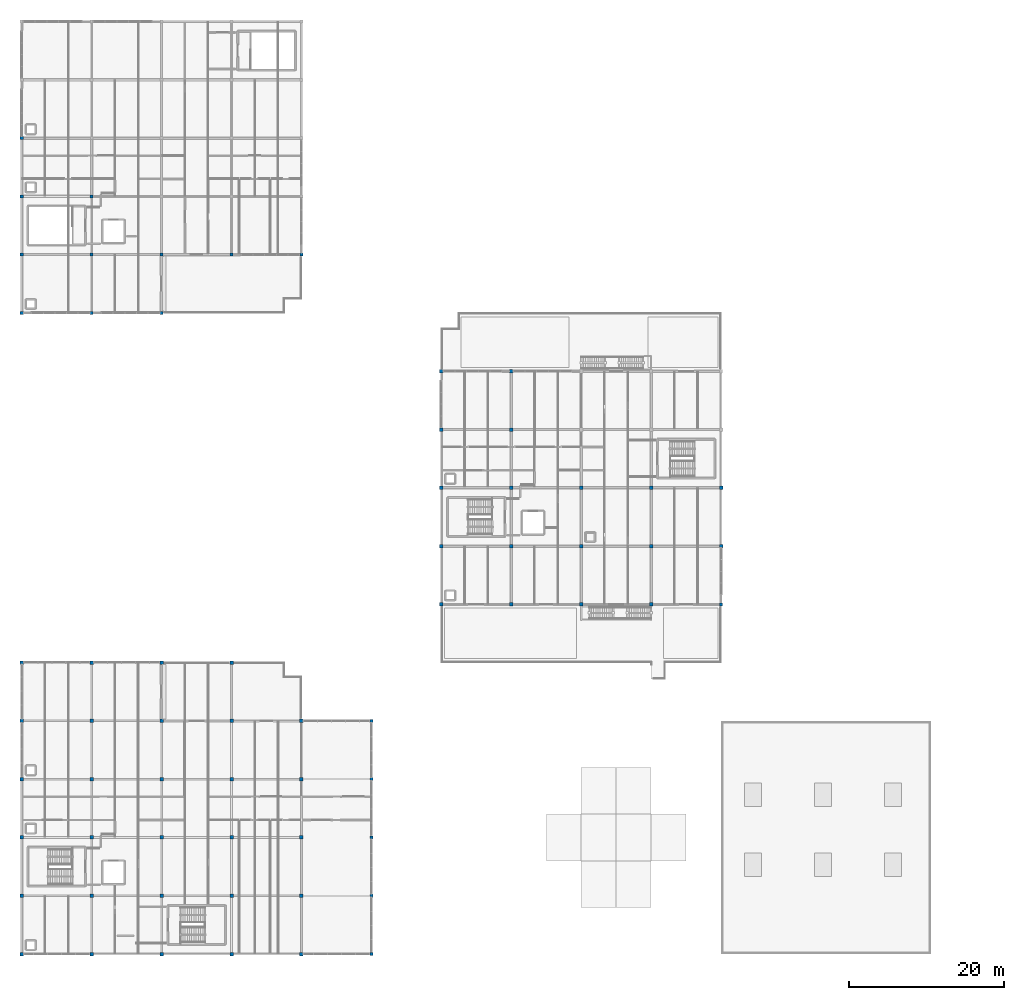
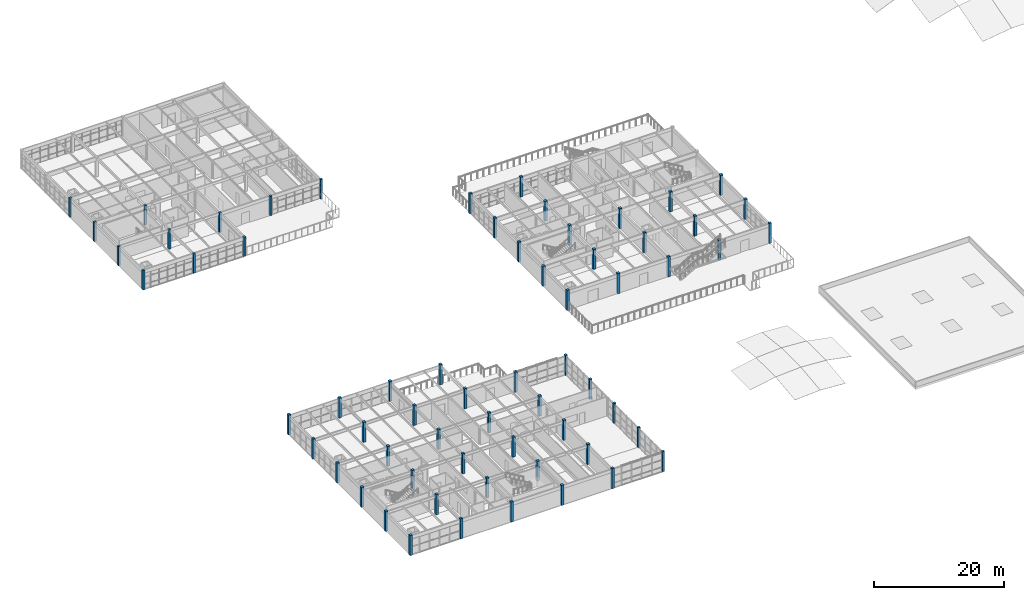
# One storey, part 1 of 45: 64 columns.
"""IFC4 building model written with IfcOpenShell, lengths in metres."""

from ifc_helpers import new_model, si_unit, direction, frame, origin, origin_2d, place, context, subcontext, project, spatial, rectangle, extrude, material, material_profile, profile_set, type_object, element, save


model = new_model("IFC4")

# Units and contexts
model_context = context("Model", 3, precision=1e-05, world=origin(), true_north=direction((0.0, 1.0)))
body_context = subcontext(model_context, "Body", "Model", "MODEL_VIEW")
ifc_project = project(units=[si_unit("LENGTHUNIT", "METRE"), si_unit("AREAUNIT", "SQUARE_METRE"), si_unit("VOLUMEUNIT", "CUBIC_METRE"), si_unit("PLANEANGLEUNIT", "RADIAN"), si_unit("MASSUNIT", "GRAM", prefix="KILO")], contexts=[model_context])

# Site, building, storey
site_placement = place(None, origin())
site = spatial("IfcSite", under=ifc_project, at=site_placement, CompositionType="ELEMENT")
building_placement = place(site_placement, origin())
building = spatial("IfcBuilding", under=site, at=building_placement, Name="Marnridge Secondary College", CompositionType="ELEMENT")
storey_placement = place(building_placement, frame((0.0, 0.0, 12.300048828125)))
storey = spatial("IfcBuildingStorey", under=building, at=storey_placement, Name="L03", CompositionType="ELEMENT", Elevation=12.300048828125)

# Columns
ifc_material_1 = material(Name="Glulam timber GL21", Category="wood")
ifc_material_profile_1 = material_profile(ifc_material_1, rectangle(XDim=0.39990234375, YDim=0.39990234375, at=origin_2d()), Name="GL21 400x400")
ifc_profile_set_1 = profile_set([ifc_material_profile_1], Name="Glulam timber GL21")
column_type_1 = type_object("IfcColumnType", Name="CL-GL400-EXT", PredefinedType="COLUMN", material=ifc_profile_set_1)
for number, where, z_axis, x_axis, name in (
    (1, (45.0, 0.0, 0.0), (0.0, 0.0, 1.0), (1.0, 0.0, 0.0), "Column C-L03-0029"),
    (2, (45.0, 7.5, 0.0), (0.0, 0.0, 1.0), (1.0, 0.0, 0.0), "Column C-L03-0081"),
    (3, (45.0, 15.0, 0.0), (0.0, 0.0, 1.0), (1.0, 0.0, 0.0), "Column C-L03-0126"),
    (4, (45.0, 22.5, 0.0), (0.0, 0.0, 1.0), (1.0, 0.0, 0.0), "Column C-L03-0171"),
    (5, (45.0, 30.0, 0.0), (0.0, 0.0, 1.0), (1.0, 0.0, 0.0), "Column C-L03-0216"),
    (6, (90.0, 45.0, 0.0), (0.0, 0.0, 1.0), (1.0, 0.0, 0.0), "Column C-L03-0313"),
):
    element("IfcColumn", number, at=place(storey_placement, frame(where, z_axis=z_axis, x_axis=x_axis)), inside=storey, type_object=column_type_1, Name=name, PredefinedType="COLUMN", context=body_context, shape_type="SweptSolid", body=[
        extrude(rectangle(XDim=0.39990234375, YDim=0.39990234375, at=origin_2d()), origin(), (0.0, 0.0, 1.0), 3.800048828125),
    ])
for number, where, z_axis, x_axis, name in (
    (7, (0.0, 82.5, 0.0), (0.0, 0.0, 1.0), (1.0, 0.0, 0.0), "Column C-L03-0467"),
    (8, (9.0, 82.5, 0.0), (0.0, 0.0, 1.0), (1.0, 0.0, 0.0), "Column C-L03-0471"),
    (9, (18.0, 82.5, 0.0), (0.0, 0.0, 1.0), (1.0, 0.0, 0.0), "Column C-L03-0475"),
    (10, (0.0, 90.0, 0.0), (0.0, 0.0, 1.0), (1.0, 0.0, 0.0), "Column C-L03-0506"),
    (11, (18.0, 90.0, 0.0), (0.0, 0.0, 1.0), (1.0, 0.0, 0.0), "Column C-L03-0514"),
    (12, (27.0, 90.0, 0.0), (0.0, 0.0, 1.0), (1.0, 0.0, 0.0), "Column C-L03-0518"),
    (13, (36.0, 90.0, 0.0), (0.0, 0.0, 1.0), (1.0, 0.0, 0.0), "Column C-L03-0522"),
    (14, (0.0, 97.5, 0.0), (0.0, 0.0, 1.0), (1.0, 0.0, 0.0), "Column C-L03-0532"),
    (15, (0.0, 105.0, 0.0), (0.0, 0.0, 1.0), (1.0, 0.0, 0.0), "Column C-L03-0558"),
):
    element("IfcColumn", number, at=place(storey_placement, frame(where, z_axis=z_axis, x_axis=x_axis)), inside=storey, type_object=column_type_1, Name=name, PredefinedType="COLUMN", context=body_context, shape_type="SweptSolid", body=[
        extrude(rectangle(XDim=0.39990234375, YDim=0.39990234375, at=origin_2d()), origin(), (0.0, 0.0, 1.0), 3.64990234375),
    ])
ifc_material_2 = material(Name="Glulam timber GL21", Category="wood")
ifc_material_profile_2 = material_profile(ifc_material_2, rectangle(XDim=0.39990234375, YDim=0.39990234375, at=origin_2d()), Name="GL21 400x400")
ifc_profile_set_2 = profile_set([ifc_material_profile_2], Name="Glulam timber GL21")
column_type_2 = type_object("IfcColumnType", Name="CL-GL400-INT", PredefinedType="COLUMN", material=ifc_profile_set_2)
for number, where, z_axis, x_axis, name in (
    (16, (9.0, 90.0, 0.0), (0.0, 0.0, 1.0), (1.0, 0.0, 0.0), "Column C-L03-0510"),
    (17, (9.0, 97.5, 0.0), (0.0, 0.0, 1.0), (1.0, 0.0, 0.0), "Column C-L03-0536"),
):
    element("IfcColumn", number, at=place(storey_placement, frame(where, z_axis=z_axis, x_axis=x_axis)), inside=storey, type_object=column_type_2, Name=name, PredefinedType="COLUMN", context=body_context, shape_type="SweptSolid", body=[
        extrude(rectangle(XDim=0.39990234375, YDim=0.39990234375, at=origin_2d()), origin(), (0.0, 0.0, 1.0), 3.64990234375),
    ])
ifc_material_3 = material(Name="Glulam timber GL21", Category="wood")
ifc_material_profile_3 = material_profile(ifc_material_3, rectangle(XDim=0.449951171875, YDim=0.449951171875, at=origin_2d()), Name="GL21 450x450")
ifc_profile_set_3 = profile_set([ifc_material_profile_3], Name="Glulam timber GL21")
column_type_3 = type_object("IfcColumnType", Name="CL-GL450-EXT", PredefinedType="COLUMN", material=ifc_profile_set_3)
for number, where, z_axis, x_axis, name in (
    (18, (0.0, 0.0, 0.0), (0.0, 0.0, 1.0), (1.0, 0.0, 0.0), "Column C-L03-0004"),
    (19, (9.0, 0.0, 0.0), (0.0, 0.0, 1.0), (1.0, 0.0, 0.0), "Column C-L03-0009"),
    (20, (18.0, 0.0, 0.0), (0.0, 0.0, 1.0), (1.0, 0.0, 0.0), "Column C-L03-0014"),
    (21, (27.0, 0.0, 0.0), (0.0, 0.0, 1.0), (1.0, 0.0, 0.0), "Column C-L03-0019"),
    (22, (36.0, 0.0, 0.0), (0.0, 0.0, 1.0), (1.0, 0.0, 0.0), "Column C-L03-0024"),
    (23, (0.0, 7.5, 0.0), (0.0, 0.0, 1.0), (1.0, 0.0, 0.0), "Column C-L03-0056"),
    (24, (0.0, 15.0, 0.0), (0.0, 0.0, 1.0), (1.0, 0.0, 0.0), "Column C-L03-0101"),
    (25, (0.0, 22.5, 0.0), (0.0, 0.0, 1.0), (1.0, 0.0, 0.0), "Column C-L03-0146"),
    (26, (0.0, 30.0, 0.0), (0.0, 0.0, 1.0), (1.0, 0.0, 0.0), "Column C-L03-0191"),
    (27, (18.0, 30.0, 0.0), (0.0, 0.0, 1.0), (1.0, 0.0, 0.0), "Column C-L03-0201"),
    (28, (27.0, 30.0, 0.0), (0.0, 0.0, 1.0), (1.0, 0.0, 0.0), "Column C-L03-0206"),
    (29, (36.0, 30.0, 0.0), (0.0, 0.0, 1.0), (1.0, 0.0, 0.0), "Column C-L03-0211"),
    (30, (0.0, 37.5, 0.0), (0.0, 0.0, 1.0), (1.0, 0.0, 0.0), "Column C-L03-0243"),
    (31, (9.0, 37.5, 0.0), (0.0, 0.0, 1.0), (1.0, 0.0, 0.0), "Column C-L03-0248"),
    (32, (18.0, 37.5, 0.0), (0.0, 0.0, 1.0), (1.0, 0.0, 0.0), "Column C-L03-0253"),
    (33, (54.0, 45.0, 0.0), (0.0, 0.0, 1.0), (1.0, 0.0, 0.0), "Column C-L03-0293"),
    (34, (63.0, 45.0, 0.0), (0.0, 0.0, 1.0), (1.0, 0.0, 0.0), "Column C-L03-0298"),
    (35, (72.0, 45.0, 0.0), (0.0, 0.0, 1.0), (1.0, 0.0, 0.0), "Column C-L03-0303"),
    (36, (81.0, 45.0, 0.0), (0.0, 0.0, 1.0), (1.0, 0.0, 0.0), "Column C-L03-0308"),
    (37, (54.0, 52.5, 0.0), (0.0, 0.0, 1.0), (1.0, 0.0, 0.0), "Column C-L03-0319"),
    (38, (72.0, 52.5, 0.0), (0.0, 0.0, 1.0), (1.0, 0.0, 0.0), "Column C-L03-0333"),
    (39, (81.0, 52.5, 0.0), (0.0, 0.0, 1.0), (1.0, 0.0, 0.0), "Column C-L03-0340"),
    (40, (90.0, 52.5, 0.0), (0.0, 0.0, 1.0), (1.0, 0.0, 0.0), "Column C-L03-0347"),
    (41, (54.0, 60.0, 0.0), (0.0, 0.0, 1.0), (1.0, 0.0, 0.0), "Column C-L03-0354"),
    (42, (90.0, 60.0, 0.0), (0.0, 0.0, 1.0), (1.0, 0.0, 0.0), "Column C-L03-0382"),
    (43, (54.0, 67.5, 0.0), (0.0, 0.0, 1.0), (1.0, 0.0, 0.0), "Column C-L03-0389"),
    (44, (63.0, 67.5, 0.0), (0.0, 0.0, 1.0), (1.0, 0.0, 0.0), "Column C-L03-0396"),
    (45, (54.0, 75.0, 0.0), (0.0, 0.0, 1.0), (1.0, 0.0, 0.0), "Column C-L03-0433"),
    (46, (63.0, 75.0, 0.0), (0.0, 0.0, 1.0), (1.0, 0.0, 0.0), "Column C-L03-0438"),
):
    element("IfcColumn", number, at=place(storey_placement, frame(where, z_axis=z_axis, x_axis=x_axis)), inside=storey, type_object=column_type_3, Name=name, PredefinedType="COLUMN", context=body_context, shape_type="SweptSolid", body=[
        extrude(rectangle(XDim=0.449951171875, YDim=0.449951171875, at=origin_2d()), origin(), (0.0, 0.0, 1.0), 3.800048828125),
    ])
ifc_material_4 = material(Name="Glulam timber GL21", Category="wood")
ifc_material_profile_4 = material_profile(ifc_material_4, rectangle(XDim=0.449951171875, YDim=0.449951171875, at=origin_2d()), Name="GL21 450x450")
ifc_profile_set_4 = profile_set([ifc_material_profile_4], Name="Glulam timber GL21")
column_type_4 = type_object("IfcColumnType", Name="CL-GL450-INT", PredefinedType="COLUMN", material=ifc_profile_set_4)
for number, where, z_axis, x_axis, name in (
    (47, (9.0, 7.5, 0.0), (0.0, 0.0, 1.0), (1.0, 0.0, 0.0), "Column C-L03-0061"),
    (48, (18.0, 7.5, 0.0), (0.0, 0.0, 1.0), (1.0, 0.0, 0.0), "Column C-L03-0066"),
    (49, (27.0, 7.5, 0.0), (0.0, 0.0, 1.0), (1.0, 0.0, 0.0), "Column C-L03-0071"),
    (50, (36.0, 7.5, 0.0), (0.0, 0.0, 1.0), (1.0, 0.0, 0.0), "Column C-L03-0076"),
    (51, (9.0, 15.0, 0.0), (0.0, 0.0, 1.0), (1.0, 0.0, 0.0), "Column C-L03-0106"),
    (52, (18.0, 15.0, 0.0), (0.0, 0.0, 1.0), (1.0, 0.0, 0.0), "Column C-L03-0111"),
    (53, (27.0, 15.0, 0.0), (0.0, 0.0, 1.0), (1.0, 0.0, 0.0), "Column C-L03-0116"),
    (54, (36.0, 15.0, 0.0), (0.0, 0.0, 1.0), (1.0, 0.0, 0.0), "Column C-L03-0121"),
    (55, (9.0, 22.5, 0.0), (0.0, 0.0, 1.0), (1.0, 0.0, 0.0), "Column C-L03-0151"),
    (56, (18.0, 22.5, 0.0), (0.0, 0.0, 1.0), (1.0, 0.0, 0.0), "Column C-L03-0156"),
    (57, (27.0, 22.5, 0.0), (0.0, 0.0, 1.0), (1.0, 0.0, 0.0), "Column C-L03-0161"),
    (58, (36.0, 22.5, 0.0), (0.0, 0.0, 1.0), (1.0, 0.0, 0.0), "Column C-L03-0166"),
    (59, (9.0, 30.0, 0.0), (0.0, 0.0, 1.0), (1.0, 0.0, 0.0), "Column C-L03-0196"),
    (60, (27.0, 37.5, 0.0), (0.0, 0.0, 1.0), (1.0, 0.0, 0.0), "Column C-L03-0258"),
    (61, (63.0, 52.5, 0.0), (0.0, 0.0, 1.0), (1.0, 0.0, 0.0), "Column C-L03-0326"),
    (62, (63.0, 60.0, 0.0), (0.0, 0.0, 1.0), (1.0, 0.0, 0.0), "Column C-L03-0361"),
    (63, (72.0, 60.0, 0.0), (0.0, 0.0, 1.0), (1.0, 0.0, 0.0), "Column C-L03-0368"),
    (64, (81.0, 60.0, 0.0), (0.0, 0.0, 1.0), (1.0, 0.0, 0.0), "Column C-L03-0375"),
):
    element("IfcColumn", number, at=place(storey_placement, frame(where, z_axis=z_axis, x_axis=x_axis)), inside=storey, type_object=column_type_4, Name=name, PredefinedType="COLUMN", context=body_context, shape_type="SweptSolid", body=[
        extrude(rectangle(XDim=0.449951171875, YDim=0.449951171875, at=origin_2d()), origin(), (0.0, 0.0, 1.0), 3.800048828125),
    ])

save(model, "model.ifc")
